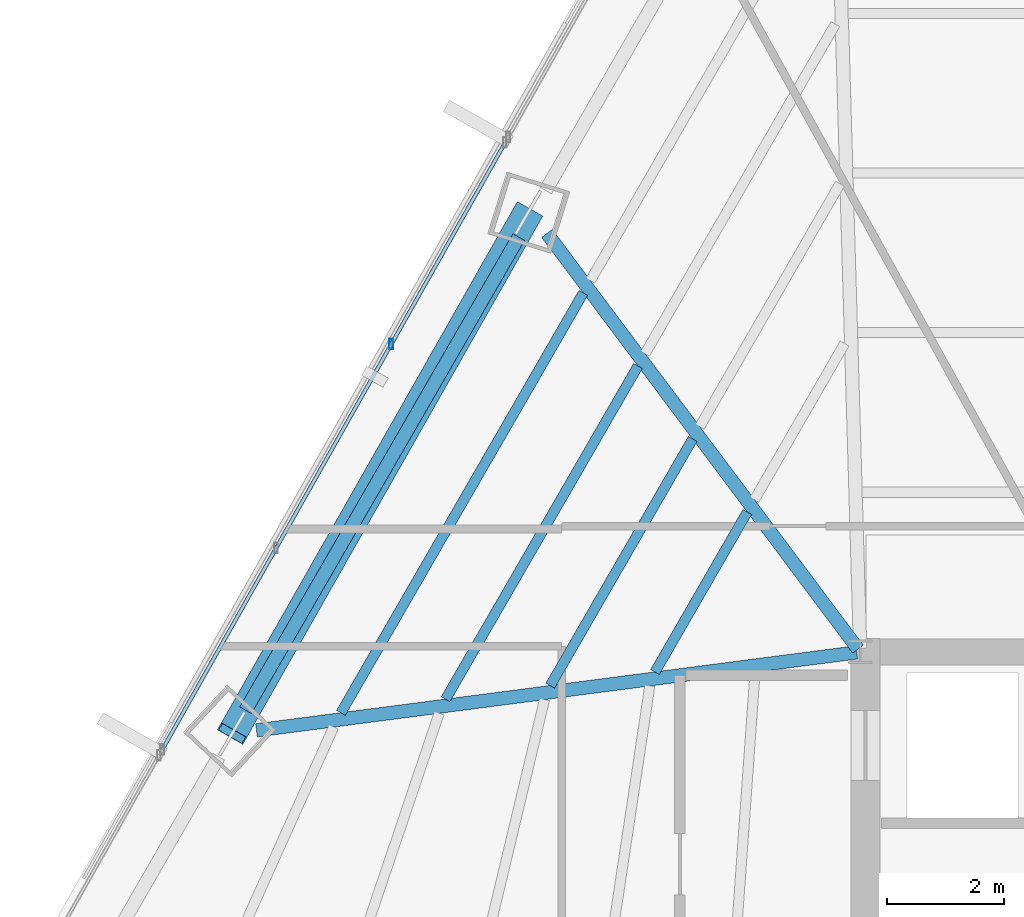
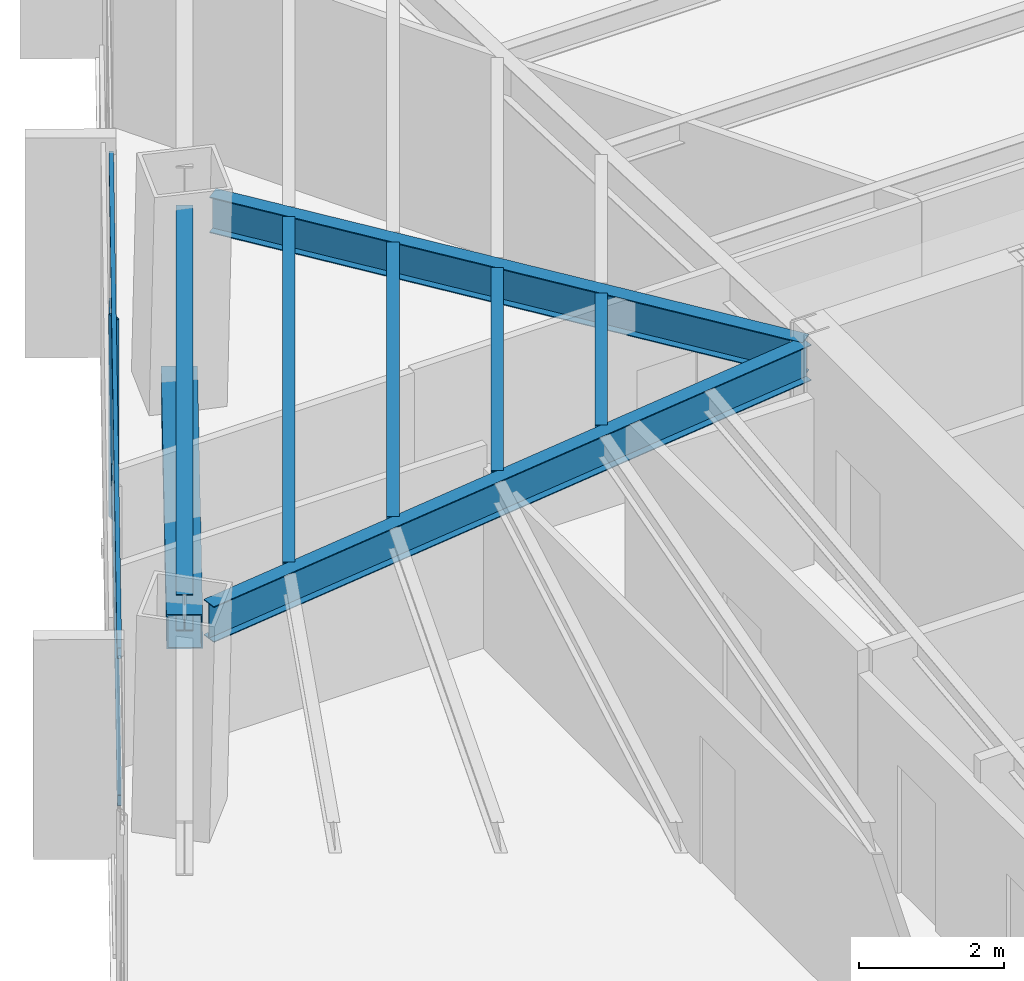
# One storey, part 13 of 36: 7 beams, 4 members, 1 element without a shape of its own.
"""IFC4 building model written with IfcOpenShell, lengths in metres."""

from ifc_helpers import new_model, si_unit, direction, frame, origin, origin_2d, place, context, subcontext, project, spatial, hollow_rectangle, i_section, extrude, source, transform, mapped, material, material_profile, profile_set, type_object, type_shapes, element, aggregate, save


model = new_model("IFC4")

# Units and contexts
model_context = context("Model", 3, precision=1e-05, world=origin(), true_north=direction((0.0, 1.0)))
body_context = subcontext(model_context, "Body", "Model", "MODEL_VIEW")
ifc_project = project(units=[si_unit("LENGTHUNIT", "METRE"), si_unit("AREAUNIT", "SQUARE_METRE"), si_unit("VOLUMEUNIT", "CUBIC_METRE"), si_unit("PLANEANGLEUNIT", "RADIAN"), si_unit("MASSUNIT", "GRAM", prefix="KILO")], contexts=[model_context])

# Site, building, storey
site_placement = place(None, origin())
site = spatial("IfcSite", under=ifc_project, at=site_placement, CompositionType="ELEMENT")
building_placement = place(site_placement, origin())
building = spatial("IfcBuilding", under=site, at=building_placement, Name="Caelisora Broadcast Tower", CompositionType="ELEMENT")
storey_placement = place(building_placement, frame((0.0, 0.0, 79.85009765625)))
storey = spatial("IfcBuildingStorey", under=building, at=storey_placement, Name="L20", CompositionType="ELEMENT", Elevation=79.85009765625)

# Beams
ifc_material_1 = material(Name="Steel Grade 350 (AS/NZS 3679.1)", Category="steel")
ifc_material_profile_1 = material_profile(ifc_material_1, i_section(OverallWidth=0.172119140625, OverallDepth=0.358642578125, WebThickness=0.008056640625, FlangeThickness=0.012939453125, at=origin_2d()), Name="Steel Grade 350 (AS/NZS 3679.1)")
ifc_profile_set_1 = profile_set([ifc_material_profile_1], Name="Steel Grade 350 (AS/NZS 3679.1)")
beam_type_1 = type_object("IfcBeamType", Name="SB02", PredefinedType="JOIST", material=ifc_profile_set_1)
shared_shape_1 = source(origin(), body_context, "Body", "SweptSolid", [
    extrude(i_section(OverallWidth=0.172119140625, OverallDepth=0.358642578125, WebThickness=0.008056640625, FlangeThickness=0.012939453125, at=origin_2d()), origin(), (0.0, 0.0, 1.0), 8.285888671875),
])
beam_1_placement = place(storey_placement, frame((25.76904296875, 36.135009765625, 3.220703125), z_axis=(-0.499989412232, -0.866031516549, 0.0), x_axis=(0.866031516549, -0.499989412232, 0.0)))
element("IfcBeam", 1, at=beam_1_placement, inside=storey, type_object=beam_type_1, Name="L20 beam SB02", PredefinedType="JOIST", context=body_context, shape_type="MappedRepresentation", body=[
    mapped(shared_shape_1, transform((0.0, 0.0, 0.0), scale=1.0)),
])
ifc_material_profile_2 = material_profile(ifc_material_1, i_section(OverallWidth=0.22900390625, OverallDepth=0.611572265625, WebThickness=0.011962890625, FlangeThickness=0.01953125, at=origin_2d()), Name="Steel Grade 350 (AS/NZS 3679.1)")
ifc_profile_set_2 = profile_set([ifc_material_profile_2], Name="Steel Grade 350 (AS/NZS 3679.1)")
beam_type_2 = type_object("IfcBeamType", Name="PG03", PredefinedType="BEAM", material=ifc_profile_set_2)
shared_shape_2 = source(origin(), body_context, "Body", "SweptSolid", [
    extrude(i_section(OverallWidth=0.22900390625, OverallDepth=0.611572265625, WebThickness=0.011962890625, FlangeThickness=0.01953125, at=origin_2d()), origin(), (0.0, 0.0, 1.0), 9.336669921875),
])
type_shapes(beam_type_2, [shared_shape_2])
beam_2_placement = place(storey_placement, frame((24.665283203125, 37.08935546875, 3.093994140625), z_axis=(-0.499983508464, -0.866034924968, 0.0), x_axis=(0.866034924968, -0.499983508464, 0.0)))
element("IfcBeam", 2, at=beam_2_placement, inside=storey, type_object=beam_type_2, Name="L20 beam PG03", PredefinedType="BEAM", context=body_context, shape_type="MappedRepresentation", body=[
    mapped(shared_shape_2, transform((0.0, 0.0, 0.0), scale=1.0)),
])
ifc_material_profile_3 = material_profile(ifc_material_1, i_section(OverallWidth=0.22802734375, OverallDepth=0.602294921875, WebThickness=0.010498046875, FlangeThickness=0.014892578125, at=origin_2d()), Name="Steel Grade 350 (AS/NZS 3679.1)")
ifc_profile_set_3 = profile_set([ifc_material_profile_3], Name="Steel Grade 350 (AS/NZS 3679.1)")
beam_type_3 = type_object("IfcBeamType", Name="PG04", PredefinedType="BEAM", material=ifc_profile_set_3)
shared_shape_3 = source(origin(), body_context, "Body", "SweptSolid", [
    extrude(i_section(OverallWidth=0.22802734375, OverallDepth=0.602294921875, WebThickness=0.010498046875, FlangeThickness=0.014892578125, at=origin_2d()), origin(), (0.0, 0.0, 1.0), 8.873046875),
])
beam_3_placement = place(storey_placement, frame((30.464111328125, 30.048095703125, 3.098876953125), z_axis=(-0.599224892017, 0.800580744702, 0.0), x_axis=(-0.800580744702, -0.599224892017, 0.0)))
element("IfcBeam", 3, at=beam_3_placement, inside=storey, type_object=beam_type_3, Name="L20 beam PG04", PredefinedType="BEAM", context=body_context, shape_type="MappedRepresentation", body=[
    mapped(shared_shape_3, transform((0.0, 0.0, 0.0), scale=1.0)),
])
shared_shape_4 = source(origin(), body_context, "Body", "SweptSolid", [
    extrude(i_section(OverallWidth=0.22802734375, OverallDepth=0.602294921875, WebThickness=0.010498046875, FlangeThickness=0.014892578125, at=origin_2d()), origin(), (0.0, 0.0, 1.0), 10.343017578125),
])
type_shapes(beam_type_3, [shared_shape_3, shared_shape_4])
beam_4_placement = place(storey_placement, frame((30.4404296875, 29.9921875, 3.098876953125), z_axis=(-0.991660324062, -0.128879019551, 0.0), x_axis=(0.128879019551, -0.991660324062, 0.0)))
element("IfcBeam", 4, at=beam_4_placement, inside=storey, type_object=beam_type_3, Name="L20 beam PG04", PredefinedType="BEAM", context=body_context, shape_type="MappedRepresentation", body=[
    mapped(shared_shape_4, transform((0.0, 0.0, 0.0), scale=1.0)),
])
shared_shape_5 = source(origin(), body_context, "Body", "SweptSolid", [
    extrude(i_section(OverallWidth=0.172119140625, OverallDepth=0.358642578125, WebThickness=0.008056640625, FlangeThickness=0.012939453125, at=origin_2d()), origin(), (0.0, 0.0, 1.0), 3.1572265625),
])
beam_5_placement = place(storey_placement, frame((28.5712890625, 32.39111328125, 3.220703125), z_axis=(-0.499981267118, -0.866036218949, 0.0), x_axis=(0.866036218949, -0.499981267118, 0.0)))
element("IfcBeam", 5, at=beam_5_placement, inside=storey, type_object=beam_type_1, Name="L20 beam SB02", PredefinedType="JOIST", context=body_context, shape_type="MappedRepresentation", body=[
    mapped(shared_shape_5, transform((0.0, 0.0, 0.0), scale=1.0)),
])
shared_shape_6 = source(origin(), body_context, "Body", "SweptSolid", [
    extrude(i_section(OverallWidth=0.172119140625, OverallDepth=0.358642578125, WebThickness=0.008056640625, FlangeThickness=0.012939453125, at=origin_2d()), origin(), (0.0, 0.0, 1.0), 4.866943359375),
])
beam_6_placement = place(storey_placement, frame((27.63720703125, 33.63916015625, 3.220703125), z_axis=(-0.499985889493, -0.866033550336, 0.0), x_axis=(0.866033550336, -0.499985889493, 0.0)))
element("IfcBeam", 6, at=beam_6_placement, inside=storey, type_object=beam_type_1, Name="L20 beam SB02", PredefinedType="JOIST", context=body_context, shape_type="MappedRepresentation", body=[
    mapped(shared_shape_6, transform((0.0, 0.0, 0.0), scale=1.0)),
])
shared_shape_7 = source(origin(), body_context, "Body", "SweptSolid", [
    extrude(i_section(OverallWidth=0.172119140625, OverallDepth=0.358642578125, WebThickness=0.008056640625, FlangeThickness=0.012939453125, at=origin_2d()), origin(), (0.0, 0.0, 1.0), 6.576416015625),
])
type_shapes(beam_type_1, [shared_shape_1, shared_shape_5, shared_shape_6, shared_shape_7])
beam_7_placement = place(storey_placement, frame((26.703125, 34.886962890625, 3.220703125), z_axis=(-0.500015951506, -0.866016193982, 0.0), x_axis=(0.866016193982, -0.500015951506, 0.0)))
element("IfcBeam", 7, at=beam_7_placement, inside=storey, type_object=beam_type_1, Name="L20 beam SB02", PredefinedType="JOIST", context=body_context, shape_type="MappedRepresentation", body=[
    mapped(shared_shape_7, transform((0.0, 0.0, 0.0), scale=1.0)),
])

# Member
ifc_material_2 = material(Name="Steel Grade 450 L15 (AS/NZS 3678)", Category="steel")
ifc_material_profile_4 = material_profile(ifc_material_2, hollow_rectangle(XDim=0.5, YDim=0.5, WallThickness=0.02001953125, at=origin_2d()), Name="Steel Grade 450 L15 (AS/NZS 3678)")
ifc_profile_set_4 = profile_set([ifc_material_profile_4], Name="Steel Grade 450 L15 (AS/NZS 3678)")
member_type_1 = type_object("IfcMemberType", Name="BR02", PredefinedType="BRACE", material=ifc_profile_set_4)
shared_shape_8 = source(origin(), body_context, "Body", "SweptSolid", [
    extrude(hollow_rectangle(XDim=0.5, YDim=0.5, WallThickness=0.02001953125, at=origin_2d()), origin(), (0.0, 0.0, 1.0), 10.671142578125),
])
type_shapes(member_type_1, [shared_shape_8])
member_1_placement = place(storey_placement, frame((24.82470703125, 37.509765625, 0.099853515625), z_axis=(-0.47394980614, -0.834468296444, 0.281130296285), x_axis=(0.869537067228, -0.49386768341, 0.0)))
element("IfcMember", 8, at=member_1_placement, inside=storey, type_object=member_type_1, Name="L20 perimeter brace BR02", PredefinedType="BRACE", context=body_context, shape_type="MappedRepresentation", body=[
    mapped(shared_shape_8, transform((0.0, 0.0, 0.0), scale=1.0)),
])

# Curtain wall, members
ifc_material_3 = material(Name="Unitised Aluminium Insulated Shadow-Box Spandrel Curtain Wall", Category="aluminium")
curtain_wall_type = type_object("IfcCurtainWallType", Name="CW-SP1", PredefinedType="NOTDEFINED", material=ifc_material_3)
curtain_wall_placement = place(storey_placement, origin())
curtain_wall = element("IfcCurtainWall", 9, at=curtain_wall_placement, inside=storey, type_object=curtain_wall_type, Name="L20 curtain wall CW-SP1", PredefinedType="NOTDEFINED")
ifc_material_4 = material(Name="Aluminium 6063-T6 Anodised Terracotta Bronze", Category="aluminium")
ifc_material_profile_5 = material_profile(ifc_material_4, hollow_rectangle(XDim=0.06494140625, YDim=0.179931640625, WallThickness=0.00341796875, at=origin_2d()), Name="Aluminium 6063-T6 Anodised Terracotta Bronze")
ifc_profile_set_5 = profile_set([ifc_material_profile_5], Name="Aluminium 6063-T6 Anodised Terracotta Bronze")
member_type_2 = type_object("IfcMemberType", Name="CWM-02", PredefinedType="MULLION", material=ifc_profile_set_5)
shared_shape_9 = source(origin(), body_context, "Body", "SweptSolid", [
    extrude(hollow_rectangle(XDim=0.06494140625, YDim=0.179931640625, WallThickness=0.00341796875, at=origin_2d()), origin(), (0.0, 0.0, 1.0), 3.39990234375),
])
type_shapes(member_type_2, [shared_shape_9])
member_2_placement = place(storey_placement, frame((22.487060546875, 35.2587890625, 0.0), z_axis=(0.0, 0.0, 1.0), x_axis=(1.0, 0.0, 0.0)))
member_2 = element("IfcMember", 10, at=member_2_placement, type_object=member_type_2, Name="L20-CW-B10 mullion #2", PredefinedType="MULLION", context=body_context, shape_type="MappedRepresentation", body=[
    mapped(shared_shape_9, transform((0.0, 0.0, 0.0), scale=1.0)),
])
ifc_material_profile_6 = material_profile(ifc_material_4, hollow_rectangle(XDim=0.06494140625, YDim=0.179931640625, WallThickness=0.00341796875, at=origin_2d()), Name="Aluminium 6063-T6 Anodised Terracotta Bronze")
ifc_profile_set_6 = profile_set([ifc_material_profile_6], Name="Aluminium 6063-T6 Anodised Terracotta Bronze")
member_type_3 = type_object("IfcMemberType", Name="CWT-01", PredefinedType="USERDEFINED", material=ifc_profile_set_6)
shared_shape_10 = source(origin(), body_context, "Body", "SweptSolid", [
    extrude(hollow_rectangle(XDim=0.06494140625, YDim=0.179931640625, WallThickness=0.00341796875, at=origin_2d()), origin(), (0.0, 0.0, 1.0), 11.91357421875),
])
type_shapes(member_type_3, [shared_shape_10])
member_3_placement = place(storey_placement, frame((18.572509765625, 28.328857421875, 0.849853515625), z_axis=(0.491824949335, 0.870694101973, 0.0), x_axis=(-0.870694101973, 0.491824949335, 0.0)))
member_3 = element("IfcMember", 11, at=member_3_placement, type_object=member_type_3, Name="L20-CW-B10 transom #1", ObjectType="TRANSOM", PredefinedType="USERDEFINED", context=body_context, shape_type="MappedRepresentation", body=[
    mapped(shared_shape_10, transform((0.0, 0.0, 0.0), scale=1.0)),
])
member_4_placement = place(storey_placement, frame((18.572509765625, 28.328857421875, 3.31982421875), z_axis=(0.491824949335, 0.870694101973, 0.0), x_axis=(-0.870694101973, 0.491824949335, 0.0)))
member_4 = element("IfcMember", 12, at=member_4_placement, type_object=member_type_3, Name="L20-CW-B10 transom #2", ObjectType="TRANSOM", PredefinedType="USERDEFINED", context=body_context, shape_type="MappedRepresentation", body=[
    mapped(shared_shape_10, transform((0.0, 0.0, 0.0), scale=1.0)),
])
aggregate(curtain_wall, [member_2, member_3, member_4])

save(model, "model.ifc")
